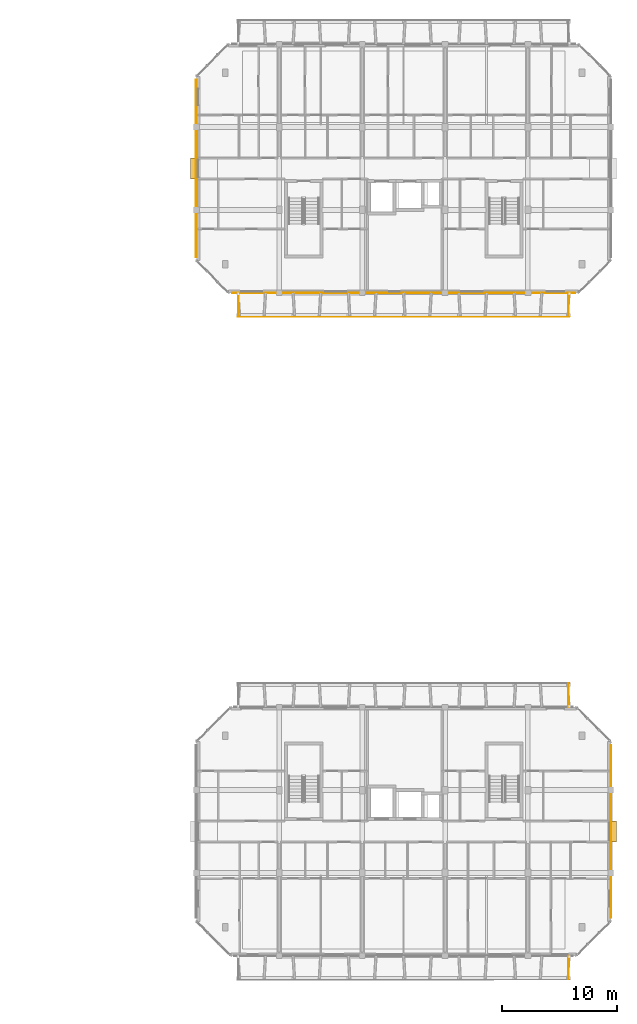
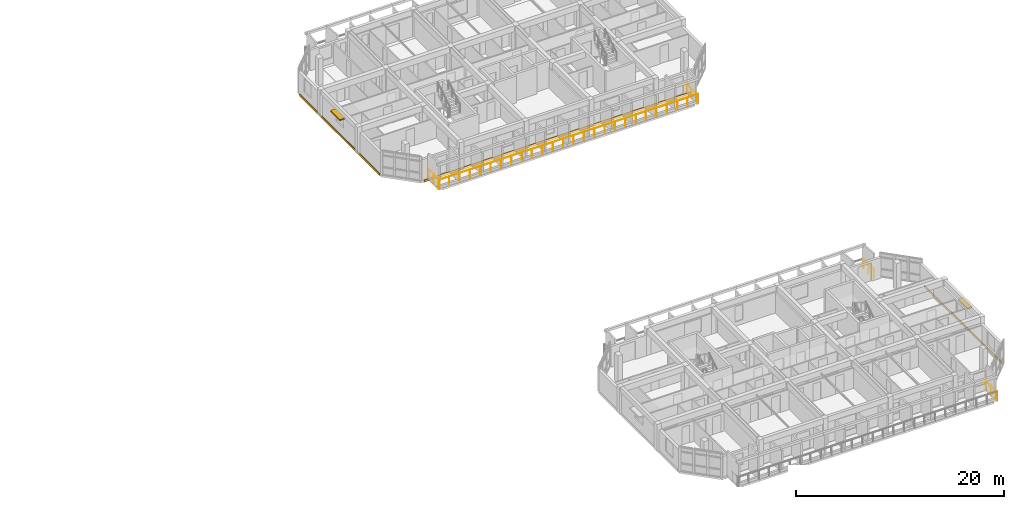
# One storey, part 44 of 46: 5 railings, 3 coverings, 2 shading devices.
"""IFC4 building model written with IfcOpenShell, lengths in metres."""

from ifc_helpers import new_model, si_unit, direction, frame, origin, origin_2d, place, context, subcontext, project, spatial, rectangle, circle, extrude, material, layer, layer_set, type_object, element, save


model = new_model("IFC4")

# Units and contexts
model_context = context("Model", 3, precision=1e-05, world=origin(), true_north=direction((0.0, 1.0)))
body_context = subcontext(model_context, "Body", "Model", "MODEL_VIEW")
ifc_project = project(units=[si_unit("LENGTHUNIT", "METRE"), si_unit("AREAUNIT", "SQUARE_METRE"), si_unit("VOLUMEUNIT", "CUBIC_METRE"), si_unit("PLANEANGLEUNIT", "RADIAN"), si_unit("MASSUNIT", "GRAM", prefix="KILO")], contexts=[model_context])

# Site, building, storey
site_placement = place(None, origin())
site = spatial("IfcSite", under=ifc_project, at=site_placement, CompositionType="ELEMENT")
building_placement = place(site_placement, origin())
building = spatial("IfcBuilding", under=site, at=building_placement, Name="Ochrevale Crest", CompositionType="ELEMENT")
storey_placement = place(building_placement, frame((0.0, 0.0, 24.449951171875)))
storey = spatial("IfcBuildingStorey", under=building, at=storey_placement, Name="L07", CompositionType="ELEMENT", Elevation=24.449951171875)

# Coverings
ifc_material_1 = material(Name="Glazed terracotta rainscreen tile", Category="masonry")
ifc_layer = layer(ifc_material_1, 0.048095703125)
ifc_layer_set = layer_set([ifc_layer], Name="Glazed terracotta rainscreen tile")
covering_type = type_object("IfcCoveringType", Name="COV-CLAD-TER", PredefinedType="CLADDING", material=ifc_layer_set)
covering_1_placement = place(storey_placement, frame((165.614501953125, 25.199951171875, -0.259765625), z_axis=(0.0, 0.0, 1.0), x_axis=(0.0, 1.0, 0.0)))
element("IfcCovering", 1, at=covering_1_placement, inside=storey, type_object=covering_type, Name="Block C L07 terracotta slab-edge spandrel cladding", PredefinedType="CLADDING", context=body_context, shape_type="SweptSolid", body=[
    extrude(rectangle(XDim=15.0, YDim=0.06005859375, at=origin_2d()), origin(), (0.0, 0.0, 1.0), 0.280029296875),
])
covering_2_placement = place(storey_placement, frame((147.60009765625, 71.987548828125, -0.259765625), z_axis=(0.0, 0.0, 1.0), x_axis=(1.0, 0.0, 0.0)))
element("IfcCovering", 2, at=covering_2_placement, inside=storey, type_object=covering_type, Name="Block D L07 terracotta slab-edge spandrel cladding", PredefinedType="CLADDING", context=body_context, shape_type="SweptSolid", body=[
    extrude(rectangle(XDim=29.800048828125, YDim=0.06005859375, at=origin_2d()), origin(), (0.0, 0.0, 1.0), 0.280029296875),
])
covering_3_placement = place(storey_placement, frame((129.58544921875, 82.800048828125, -0.259765625), z_axis=(0.0, 0.0, 1.0), x_axis=(0.0, -1.0, 0.0)))
element("IfcCovering", 3, at=covering_3_placement, inside=storey, type_object=covering_type, Name="Block D L07 terracotta slab-edge spandrel cladding", PredefinedType="CLADDING", context=body_context, shape_type="SweptSolid", body=[
    extrude(rectangle(XDim=15.39990234375, YDim=0.06005859375, at=origin_2d()), origin(), (0.0, 0.0, 1.0), 0.280029296875),
])

# Railings
ifc_material_2 = material(Name="Galvanised steel", Category="steel")
railing_type = type_object("IfcRailingType", Name="RL-BAL-1100", PredefinedType="BALUSTRADE", material=ifc_material_2)
railing_1_placement = place(storey_placement, frame((161.93994140625, 14.39990234375, 0.0)))
element("IfcRailing", 4, at=railing_1_placement, inside=storey, type_object=railing_type, Name="Block C L07 S-E balcony side guard", PredefinedType="BALUSTRADE", context=body_context, shape_type="SweptSolid", body=[
    extrude(circle(Radius=0.02392578125, at=origin_2d()), frame((0.0, 0.0, 1.0859375), z_axis=(0.0, -1.0, 0.0), x_axis=(1.0, 0.0, 0.0)), (0.0, 0.0, 1.0), 2.039794921875),
    extrude(circle(Radius=0.02099609375, at=origin_2d()), origin(), (0.0, 0.0, 1.0), 1.06201171875),
    extrude(circle(Radius=0.02099609375, at=origin_2d()), frame((0.0, -1.02001953125, 0.0)), (0.0, 0.0, 1.0), 1.06201171875),
    extrude(circle(Radius=0.02099609375, at=origin_2d()), frame((0.0, -2.039794921875, 0.0)), (0.0, 0.0, 1.0), 1.06201171875),
])
railing_2_placement = place(storey_placement, frame((161.93994140625, 36.0, 0.0)))
element("IfcRailing", 5, at=railing_2_placement, inside=storey, type_object=railing_type, Name="Block C L07 N-E balcony side guard", PredefinedType="BALUSTRADE", context=body_context, shape_type="SweptSolid", body=[
    extrude(circle(Radius=0.02392578125, at=origin_2d()), frame((0.0, 0.0, 1.0859375), z_axis=(0.0, 1.0, 0.0), x_axis=(-1.0, 0.0, 0.0)), (0.0, 0.0, 1.0), 2.0400390625),
    extrude(circle(Radius=0.02099609375, at=origin_2d()), origin(), (0.0, 0.0, 1.0), 1.06201171875),
    extrude(circle(Radius=0.02099609375, at=origin_2d()), frame((0.0, 1.02001953125, 0.0)), (0.0, 0.0, 1.0), 1.06201171875),
    extrude(circle(Radius=0.02099609375, at=origin_2d()), frame((0.0, 2.0400390625, 0.0)), (0.0, 0.0, 1.0), 1.06201171875),
])
railing_3_placement = place(storey_placement, frame((133.199951171875, 69.9599609375, 0.0)))
element("IfcRailing", 6, at=railing_3_placement, inside=storey, type_object=railing_type, Name="Block D L07 S balcony front balustrade", PredefinedType="BALUSTRADE", context=body_context, shape_type="SweptSolid", body=[
    extrude(circle(Radius=0.02392578125, at=origin_2d()), frame((0.0, 0.0, 1.0859375), z_axis=(1.0, 0.0, 0.0), x_axis=(0.0, 1.0, 0.0)), (0.0, 0.0, 1.0), 28.800048828125),
    extrude(circle(Radius=0.02099609375, at=origin_2d()), origin(), (0.0, 0.0, 1.0), 1.06201171875),
    extrude(circle(Radius=0.02099609375, at=origin_2d()), frame((1.152099609375, 0.0, 0.0)), (0.0, 0.0, 1.0), 1.06201171875),
    extrude(circle(Radius=0.02099609375, at=origin_2d()), frame((2.303955078125, 0.0, 0.0)), (0.0, 0.0, 1.0), 1.06201171875),
    extrude(circle(Radius=0.02099609375, at=origin_2d()), frame((3.4560546875, 0.0, 0.0)), (0.0, 0.0, 1.0), 1.06201171875),
    extrude(circle(Radius=0.02099609375, at=origin_2d()), frame((4.60791015625, 0.0, 0.0)), (0.0, 0.0, 1.0), 1.06201171875),
    extrude(circle(Radius=0.02099609375, at=origin_2d()), frame((5.760009765625, 0.0, 0.0)), (0.0, 0.0, 1.0), 1.06201171875),
    extrude(circle(Radius=0.02099609375, at=origin_2d()), frame((6.912109375, 0.0, 0.0)), (0.0, 0.0, 1.0), 1.06201171875),
    extrude(circle(Radius=0.02099609375, at=origin_2d()), frame((8.06396484375, 0.0, 0.0)), (0.0, 0.0, 1.0), 1.06201171875),
    extrude(circle(Radius=0.02099609375, at=origin_2d()), frame((9.216064453125, 0.0, 0.0)), (0.0, 0.0, 1.0), 1.06201171875),
    extrude(circle(Radius=0.02099609375, at=origin_2d()), frame((10.367919921875, 0.0, 0.0)), (0.0, 0.0, 1.0), 1.06201171875),
    extrude(circle(Radius=0.02099609375, at=origin_2d()), frame((11.52001953125, 0.0, 0.0)), (0.0, 0.0, 1.0), 1.06201171875),
    extrude(circle(Radius=0.02099609375, at=origin_2d()), frame((12.672119140625, 0.0, 0.0)), (0.0, 0.0, 1.0), 1.06201171875),
    extrude(circle(Radius=0.02099609375, at=origin_2d()), frame((13.823974609375, 0.0, 0.0)), (0.0, 0.0, 1.0), 1.06201171875),
    extrude(circle(Radius=0.02099609375, at=origin_2d()), frame((14.97607421875, 0.0, 0.0)), (0.0, 0.0, 1.0), 1.06201171875),
    extrude(circle(Radius=0.02099609375, at=origin_2d()), frame((16.1279296875, 0.0, 0.0)), (0.0, 0.0, 1.0), 1.06201171875),
    extrude(circle(Radius=0.02099609375, at=origin_2d()), frame((17.280029296875, 0.0, 0.0)), (0.0, 0.0, 1.0), 1.06201171875),
    extrude(circle(Radius=0.02099609375, at=origin_2d()), frame((18.43212890625, 0.0, 0.0)), (0.0, 0.0, 1.0), 1.06201171875),
    extrude(circle(Radius=0.02099609375, at=origin_2d()), frame((19.583984375, 0.0, 0.0)), (0.0, 0.0, 1.0), 1.06201171875),
    extrude(circle(Radius=0.02099609375, at=origin_2d()), frame((20.736083984375, 0.0, 0.0)), (0.0, 0.0, 1.0), 1.06201171875),
    extrude(circle(Radius=0.02099609375, at=origin_2d()), frame((21.887939453125, 0.0, 0.0)), (0.0, 0.0, 1.0), 1.06201171875),
    extrude(circle(Radius=0.02099609375, at=origin_2d()), frame((23.0400390625, 0.0, 0.0)), (0.0, 0.0, 1.0), 1.06201171875),
    extrude(circle(Radius=0.02099609375, at=origin_2d()), frame((24.192138671875, 0.0, 0.0)), (0.0, 0.0, 1.0), 1.06201171875),
    extrude(circle(Radius=0.02099609375, at=origin_2d()), frame((25.343994140625, 0.0, 0.0)), (0.0, 0.0, 1.0), 1.06201171875),
    extrude(circle(Radius=0.02099609375, at=origin_2d()), frame((26.49609375, 0.0, 0.0)), (0.0, 0.0, 1.0), 1.06201171875),
    extrude(circle(Radius=0.02099609375, at=origin_2d()), frame((27.64794921875, 0.0, 0.0)), (0.0, 0.0, 1.0), 1.06201171875),
    extrude(circle(Radius=0.02099609375, at=origin_2d()), frame((28.800048828125, 0.0, 0.0)), (0.0, 0.0, 1.0), 1.06201171875),
])
for number, where, name in (
    (7, (133.260009765625, 72.0, 0.0), "Block D L07 S-W balcony side guard"),
    (8, (161.93994140625, 72.0, 0.0), "Block D L07 S-E balcony side guard"),
):
    element("IfcRailing", number, at=place(storey_placement, frame(where)), inside=storey, type_object=railing_type, Name=name, PredefinedType="BALUSTRADE", context=body_context, shape_type="SweptSolid", body=[
        extrude(circle(Radius=0.02392578125, at=origin_2d()), frame((0.0, 0.0, 1.0859375), z_axis=(0.0, -1.0, 0.0), x_axis=(1.0, 0.0, 0.0)), (0.0, 0.0, 1.0), 2.0400390625),
        extrude(circle(Radius=0.02099609375, at=origin_2d()), origin(), (0.0, 0.0, 1.0), 1.06201171875),
        extrude(circle(Radius=0.02099609375, at=origin_2d()), frame((0.0, -1.02001953125, 0.0)), (0.0, 0.0, 1.0), 1.06201171875),
        extrude(circle(Radius=0.02099609375, at=origin_2d()), frame((0.0, -2.0400390625, 0.0)), (0.0, 0.0, 1.0), 1.06201171875),
    ])

# Shading devices
ifc_material_3 = material(Name="Anodised aluminium 6063-T5", Category="aluminium")
shading_device_type = type_object("IfcShadingDeviceType", Name="SHD-SUNSHADE-OC", PredefinedType="USERDEFINED", material=ifc_material_3)
for number, where, z_axis, x_axis, name in (
    (9, (165.840087890625, 25.199951171875, 2.2099609375), (0.0, 0.0, 1.0), (1.0, 0.0, 0.0), "Block C L07 gable window sunshade E"),
    (10, (129.360107421875, 82.800048828125, 2.2099609375), (0.0, 0.0, 1.0), (1.0, 0.0, 0.0), "Block D L07 gable window sunshade W"),
):
    element("IfcShadingDevice", number, at=place(storey_placement, frame(where, z_axis=z_axis, x_axis=x_axis)), inside=storey, type_object=shading_device_type, Name=name, ObjectType="HORIZONTAL SUNSHADE", PredefinedType="USERDEFINED", context=body_context, shape_type="SweptSolid", body=[
        extrude(rectangle(XDim=0.550048828125, YDim=1.800048828125, at=origin_2d()), origin(), (0.0, 0.0, 1.0), 0.139892578125),
    ])

save(model, "model.ifc")
